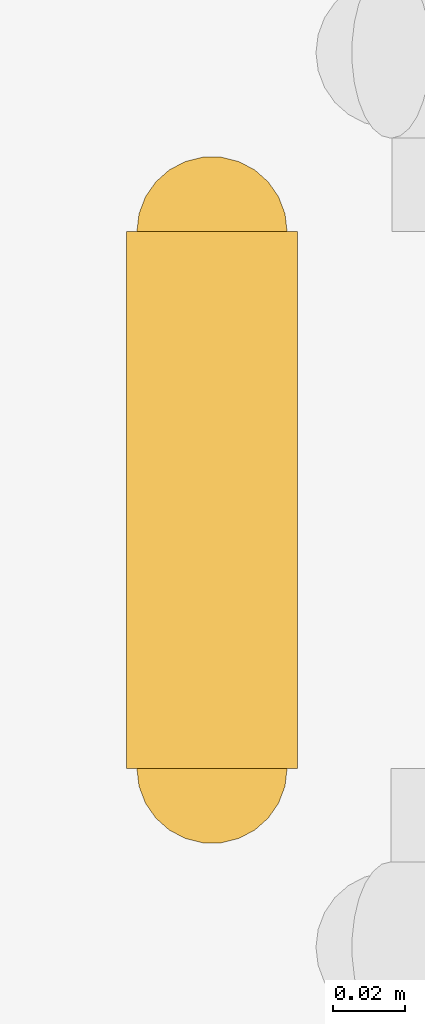
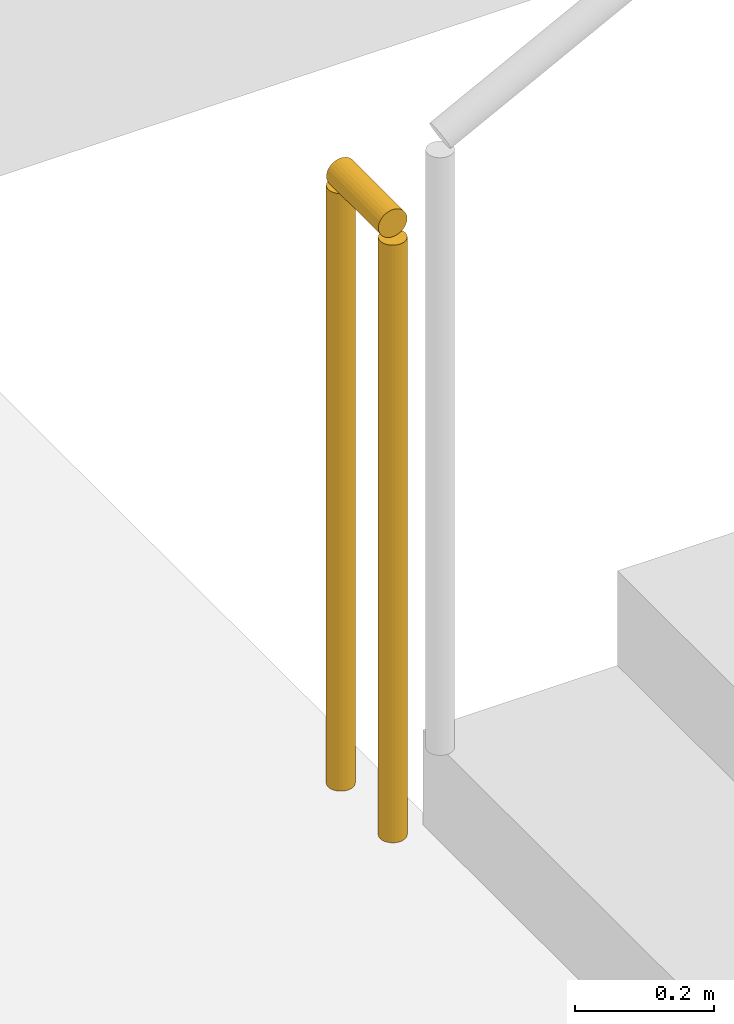
# One storey, part 18 of 24: 1 railing.
"""IFC4 building model written with IfcOpenShell, lengths in metres."""

from ifc_helpers import new_model, si_unit, direction, frame, origin, origin_2d, place, context, subcontext, project, spatial, circle, extrude, material, type_object, element, save


model = new_model("IFC4")

# Units and contexts
model_context = context("Model", 3, precision=1e-05, world=origin(), true_north=direction((0.0, 1.0)))
body_context = subcontext(model_context, "Body", "Model", "MODEL_VIEW")
ifc_project = project(units=[si_unit("LENGTHUNIT", "METRE"), si_unit("AREAUNIT", "SQUARE_METRE"), si_unit("VOLUMEUNIT", "CUBIC_METRE"), si_unit("PLANEANGLEUNIT", "RADIAN"), si_unit("MASSUNIT", "GRAM", prefix="KILO")], contexts=[model_context])

# Site, building, storey
site_placement = place(None, origin())
site = spatial("IfcSite", under=ifc_project, at=site_placement, CompositionType="ELEMENT")
building_placement = place(site_placement, origin())
building = spatial("IfcBuilding", under=site, at=building_placement, Name="Kolvaren Arena Tower", CompositionType="ELEMENT")
storey_placement = place(building_placement, frame((0.0, 0.0, 8.0)))
storey = spatial("IfcBuildingStorey", under=building, at=storey_placement, Name="L01", CompositionType="ELEMENT", Elevation=8.0)

# Railing
ifc_material = material(Name="Painted galvanized steel", Category="steel")
railing_type = type_object("IfcRailingType", Name="GUARD-ST-110", PredefinedType="GUARDRAIL", material=ifc_material)
railing_placement = place(storey_placement, frame((63.14990234375, 15.5, 0.0)))
element("IfcRailing", 1, at=railing_placement, inside=storey, type_object=railing_type, Name="L01 ST-A4 stair guard 4", PredefinedType="GUARDRAIL", context=body_context, shape_type="SweptSolid", body=[
    extrude(circle(Radius=0.02392578125, at=origin_2d()), frame((0.0, 0.0, 1.076171875), z_axis=(0.0, 1.0, 0.0), x_axis=(-1.0, 0.0, 0.0)), (0.0, 0.0, 1.0), 0.14990234375),
    extrude(circle(Radius=0.02099609375, at=origin_2d()), origin(), (0.0, 0.0, 1.0), 1.052001953125),
    extrude(circle(Radius=0.02099609375, at=origin_2d()), frame((0.0, 0.14990234375, 0.0)), (0.0, 0.0, 1.0), 1.052001953125),
])

save(model, "model.ifc")
